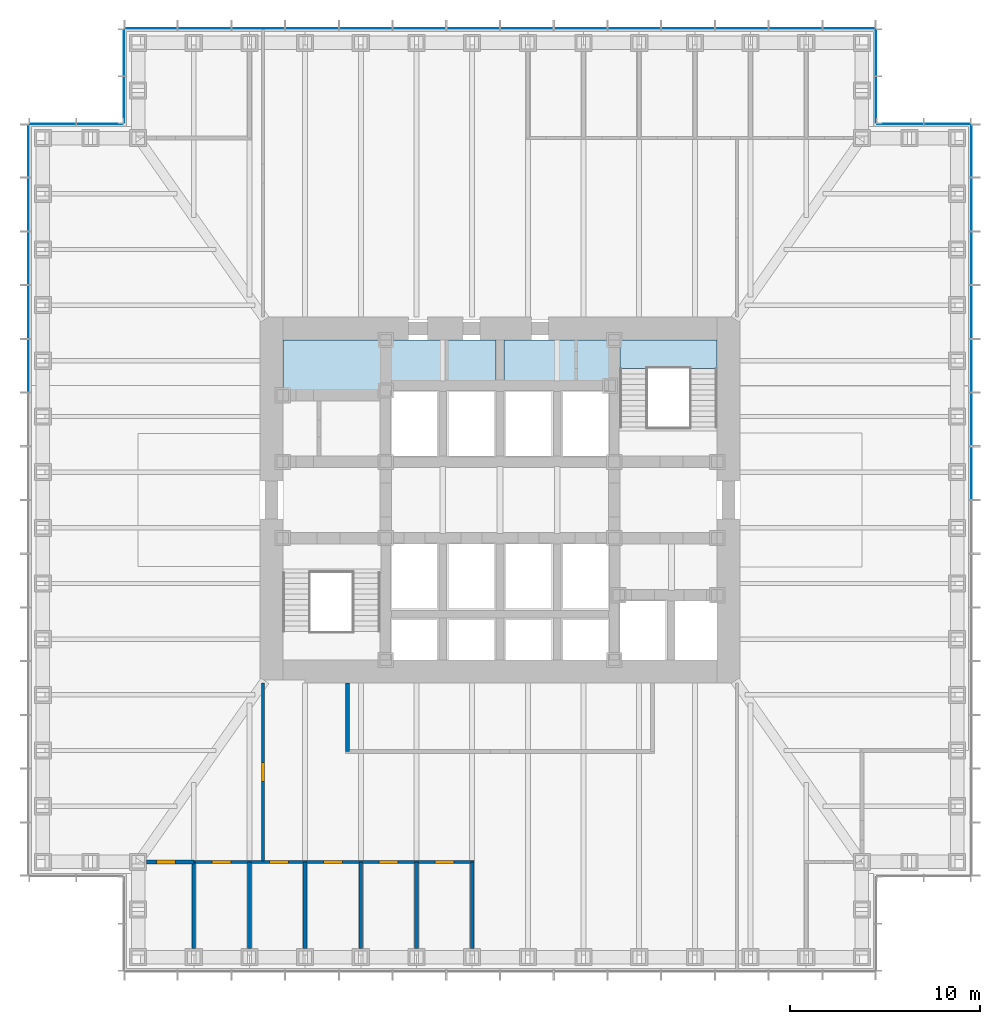
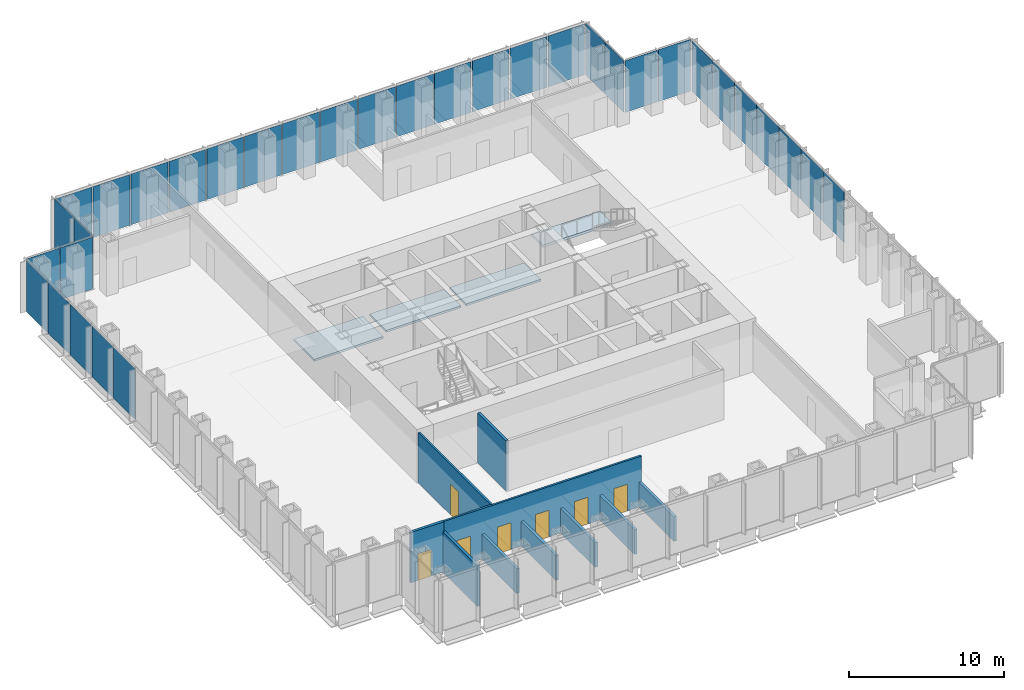
# One storey, part 8 of 17: 34 plates, 10 walls, 7 doors, 4 slabs, 7 openings, 8 elements without a shape of their own.
"""IFC4 building model written with IfcOpenShell, lengths in metres."""

from ifc_helpers import new_model, si_unit, direction, frame, frame_2d, origin, origin_2d, place, context, subcontext, project, spatial, polyline, rectangle, outline, extrude, material, layer, layer_set, type_object, element, fill, aggregate, save


model = new_model("IFC4")

# Units and contexts
model_context = context("Model", 3, precision=1e-05, world=origin(), true_north=direction((0.0, 1.0)))
body_context = subcontext(model_context, "Body", "Model", "MODEL_VIEW")
ifc_project = project(units=[si_unit("LENGTHUNIT", "METRE"), si_unit("AREAUNIT", "SQUARE_METRE"), si_unit("VOLUMEUNIT", "CUBIC_METRE"), si_unit("PLANEANGLEUNIT", "RADIAN"), si_unit("MASSUNIT", "GRAM", prefix="KILO")], contexts=[model_context])

# Site, building, storey
site_placement = place(None, origin())
site = spatial("IfcSite", under=ifc_project, at=site_placement, CompositionType="ELEMENT")
building_placement = place(site_placement, origin())
building = spatial("IfcBuilding", under=site, at=building_placement, Name="Daluyong Arena Tower", CompositionType="ELEMENT")
storey_placement = place(building_placement, frame((0.0, 0.0, 97.89990234375)))
storey = spatial("IfcBuildingStorey", under=building, at=storey_placement, Name="L21", CompositionType="ELEMENT", Elevation=97.89990234375)

# Curtain wall, plates
ifc_material_1 = material(Name="Bronze anodised aluminium and glass", Category="aluminium")
curtain_wall_type_1 = type_object("IfcCurtainWallType", Name="Curtain wall CW1", PredefinedType="USERDEFINED", material=ifc_material_1)
curtain_wall_1_placement = place(storey_placement, origin())
curtain_wall_1 = element("IfcCurtainWall", 1, at=curtain_wall_1_placement, inside=storey, type_object=curtain_wall_type_1, Name="curtain wall L21 E", ObjectType="UNITISED CURTAIN WALL", PredefinedType="USERDEFINED")
ifc_material_2 = material(Name="Tinted double glazed unit", Category="glass")
ifc_layer_1 = layer(ifc_material_2, 0.031982421875)
ifc_layer_set_1 = layer_set([ifc_layer_1], Name="Tinted double glazed unit")
plate_type_1 = type_object("IfcPlateType", Name="CW1 panel 32", PredefinedType="CURTAIN_PANEL", material=ifc_layer_set_1)
plate_1_placement = place(storey_placement, frame((80.75, 81.41064453125, 0.0), z_axis=(0.0, 0.0, 1.0), x_axis=(0.0, 1.0, 0.0)))
plate_1 = element("IfcPlate", 2, at=plate_1_placement, type_object=plate_type_1, Name="curtain wall L21 E panel 8", PredefinedType="CURTAIN_PANEL", context=body_context, shape_type="SweptSolid", body=[
    extrude(rectangle(XDim=2.741455078125, YDim=0.031982421875, at=origin_2d()), origin(), (0.0, 0.0, 1.0), 4.0),
])
plate_2_placement = place(storey_placement, frame((80.75, 84.232177734375, 0.0), z_axis=(0.0, 0.0, 1.0), x_axis=(0.0, 1.0, 0.0)))
plate_2 = element("IfcPlate", 3, at=plate_2_placement, type_object=plate_type_1, Name="curtain wall L21 E panel 9", PredefinedType="CURTAIN_PANEL", context=body_context, shape_type="SweptSolid", body=[
    extrude(rectangle(XDim=2.741455078125, YDim=0.031982421875, at=origin_2d()), origin(), (0.0, 0.0, 1.0), 4.0),
])
plate_3_placement = place(storey_placement, frame((80.75, 87.053466796875, 0.0), z_axis=(0.0, 0.0, 1.0), x_axis=(0.0, 1.0, 0.0)))
plate_3 = element("IfcPlate", 4, at=plate_3_placement, type_object=plate_type_1, Name="curtain wall L21 E panel 10", PredefinedType="CURTAIN_PANEL", context=body_context, shape_type="SweptSolid", body=[
    extrude(rectangle(XDim=2.741455078125, YDim=0.031982421875, at=origin_2d()), origin(), (0.0, 0.0, 1.0), 4.0),
])
plate_4_placement = place(storey_placement, frame((80.75, 89.875, 0.0), z_axis=(0.0, 0.0, 1.0), x_axis=(0.0, 1.0, 0.0)))
plate_4 = element("IfcPlate", 5, at=plate_4_placement, type_object=plate_type_1, Name="curtain wall L21 E panel 11", PredefinedType="CURTAIN_PANEL", context=body_context, shape_type="SweptSolid", body=[
    extrude(rectangle(XDim=2.741455078125, YDim=0.031982421875, at=origin_2d()), origin(), (0.0, 0.0, 1.0), 4.0),
])
plate_5_placement = place(storey_placement, frame((80.75, 92.696533203125, 0.0), z_axis=(0.0, 0.0, 1.0), x_axis=(0.0, 1.0, 0.0)))
plate_5 = element("IfcPlate", 6, at=plate_5_placement, type_object=plate_type_1, Name="curtain wall L21 E panel 12", PredefinedType="CURTAIN_PANEL", context=body_context, shape_type="SweptSolid", body=[
    extrude(rectangle(XDim=2.741455078125, YDim=0.031982421875, at=origin_2d()), origin(), (0.0, 0.0, 1.0), 4.0),
])
plate_6_placement = place(storey_placement, frame((80.75, 95.517822265625, 0.0), z_axis=(0.0, 0.0, 1.0), x_axis=(0.0, 1.0, 0.0)))
plate_6 = element("IfcPlate", 7, at=plate_6_placement, type_object=plate_type_1, Name="curtain wall L21 E panel 13", PredefinedType="CURTAIN_PANEL", context=body_context, shape_type="SweptSolid", body=[
    extrude(rectangle(XDim=2.741455078125, YDim=0.031982421875, at=origin_2d()), origin(), (0.0, 0.0, 1.0), 4.0),
])
plate_7_placement = place(storey_placement, frame((80.75, 98.3193359375, 0.0), z_axis=(0.0, 0.0, 1.0), x_axis=(0.0, 1.0, 0.0)))
plate_7 = element("IfcPlate", 8, at=plate_7_placement, type_object=plate_type_1, Name="curtain wall L21 E panel 14", PredefinedType="CURTAIN_PANEL", context=body_context, shape_type="SweptSolid", body=[
    extrude(rectangle(XDim=2.701416015625, YDim=0.031982421875, at=origin_2d()), origin(), (0.0, 0.0, 1.0), 4.0),
])
aggregate(curtain_wall_1, [plate_1, plate_2, plate_3, plate_4, plate_5, plate_6, plate_7])

curtain_wall_2_placement = place(storey_placement, origin())
curtain_wall_2 = element("IfcCurtainWall", 9, at=curtain_wall_2_placement, inside=storey, type_object=curtain_wall_type_1, Name="curtain wall L21 N", ObjectType="UNITISED CURTAIN WALL", PredefinedType="USERDEFINED")
plate_8_placement = place(storey_placement, frame((74.3193359375, 104.75, 0.0), z_axis=(0.0, 0.0, 1.0), x_axis=(-1.0, 0.0, 0.0)))
plate_8 = element("IfcPlate", 10, at=plate_8_placement, type_object=plate_type_1, Name="curtain wall L21 N panel 1", PredefinedType="CURTAIN_PANEL", context=body_context, shape_type="SweptSolid", body=[
    extrude(rectangle(XDim=2.701416015625, YDim=0.031982421875, at=origin_2d()), origin(), (0.0, 0.0, 1.0), 4.0),
])
plate_9_placement = place(storey_placement, frame((71.517822265625, 104.75, 0.0), z_axis=(0.0, 0.0, 1.0), x_axis=(-1.0, 0.0, 0.0)))
plate_9 = element("IfcPlate", 11, at=plate_9_placement, type_object=plate_type_1, Name="curtain wall L21 N panel 2", PredefinedType="CURTAIN_PANEL", context=body_context, shape_type="SweptSolid", body=[
    extrude(rectangle(XDim=2.741455078125, YDim=0.031982421875, at=origin_2d()), origin(), (0.0, 0.0, 1.0), 4.0),
])
plate_10_placement = place(storey_placement, frame((68.696533203125, 104.75, 0.0), z_axis=(0.0, 0.0, 1.0), x_axis=(-1.0, 0.0, 0.0)))
plate_10 = element("IfcPlate", 12, at=plate_10_placement, type_object=plate_type_1, Name="curtain wall L21 N panel 3", PredefinedType="CURTAIN_PANEL", context=body_context, shape_type="SweptSolid", body=[
    extrude(rectangle(XDim=2.741455078125, YDim=0.031982421875, at=origin_2d()), origin(), (0.0, 0.0, 1.0), 4.0),
])
plate_11_placement = place(storey_placement, frame((65.875, 104.75, 0.0), z_axis=(0.0, 0.0, 1.0), x_axis=(-1.0, 0.0, 0.0)))
plate_11 = element("IfcPlate", 13, at=plate_11_placement, type_object=plate_type_1, Name="curtain wall L21 N panel 4", PredefinedType="CURTAIN_PANEL", context=body_context, shape_type="SweptSolid", body=[
    extrude(rectangle(XDim=2.741455078125, YDim=0.031982421875, at=origin_2d()), origin(), (0.0, 0.0, 1.0), 4.0),
])
plate_12_placement = place(storey_placement, frame((63.053466796875, 104.75, 0.0), z_axis=(0.0, 0.0, 1.0), x_axis=(-1.0, 0.0, 0.0)))
plate_12 = element("IfcPlate", 14, at=plate_12_placement, type_object=plate_type_1, Name="curtain wall L21 N panel 5", PredefinedType="CURTAIN_PANEL", context=body_context, shape_type="SweptSolid", body=[
    extrude(rectangle(XDim=2.741455078125, YDim=0.031982421875, at=origin_2d()), origin(), (0.0, 0.0, 1.0), 4.0),
])
plate_13_placement = place(storey_placement, frame((60.232177734375, 104.75, 0.0), z_axis=(0.0, 0.0, 1.0), x_axis=(-1.0, 0.0, 0.0)))
plate_13 = element("IfcPlate", 15, at=plate_13_placement, type_object=plate_type_1, Name="curtain wall L21 N panel 6", PredefinedType="CURTAIN_PANEL", context=body_context, shape_type="SweptSolid", body=[
    extrude(rectangle(XDim=2.741455078125, YDim=0.031982421875, at=origin_2d()), origin(), (0.0, 0.0, 1.0), 4.0),
])
plate_14_placement = place(storey_placement, frame((57.41064453125, 104.75, 0.0), z_axis=(0.0, 0.0, 1.0), x_axis=(-1.0, 0.0, 0.0)))
plate_14 = element("IfcPlate", 16, at=plate_14_placement, type_object=plate_type_1, Name="curtain wall L21 N panel 7", PredefinedType="CURTAIN_PANEL", context=body_context, shape_type="SweptSolid", body=[
    extrude(rectangle(XDim=2.741455078125, YDim=0.031982421875, at=origin_2d()), origin(), (0.0, 0.0, 1.0), 4.0),
])
plate_15_placement = place(storey_placement, frame((54.58935546875, 104.75, 0.0), z_axis=(0.0, 0.0, 1.0), x_axis=(-1.0, 0.0, 0.0)))
plate_15 = element("IfcPlate", 17, at=plate_15_placement, type_object=plate_type_1, Name="curtain wall L21 N panel 8", PredefinedType="CURTAIN_PANEL", context=body_context, shape_type="SweptSolid", body=[
    extrude(rectangle(XDim=2.741455078125, YDim=0.031982421875, at=origin_2d()), origin(), (0.0, 0.0, 1.0), 4.0),
])
plate_16_placement = place(storey_placement, frame((51.767822265625, 104.75, 0.0), z_axis=(0.0, 0.0, 1.0), x_axis=(-1.0, 0.0, 0.0)))
plate_16 = element("IfcPlate", 18, at=plate_16_placement, type_object=plate_type_1, Name="curtain wall L21 N panel 9", PredefinedType="CURTAIN_PANEL", context=body_context, shape_type="SweptSolid", body=[
    extrude(rectangle(XDim=2.741455078125, YDim=0.031982421875, at=origin_2d()), origin(), (0.0, 0.0, 1.0), 4.0),
])
plate_17_placement = place(storey_placement, frame((48.946533203125, 104.75, 0.0), z_axis=(0.0, 0.0, 1.0), x_axis=(-1.0, 0.0, 0.0)))
plate_17 = element("IfcPlate", 19, at=plate_17_placement, type_object=plate_type_1, Name="curtain wall L21 N panel 10", PredefinedType="CURTAIN_PANEL", context=body_context, shape_type="SweptSolid", body=[
    extrude(rectangle(XDim=2.741455078125, YDim=0.031982421875, at=origin_2d()), origin(), (0.0, 0.0, 1.0), 4.0),
])
plate_18_placement = place(storey_placement, frame((46.125, 104.75, 0.0), z_axis=(0.0, 0.0, 1.0), x_axis=(-1.0, 0.0, 0.0)))
plate_18 = element("IfcPlate", 20, at=plate_18_placement, type_object=plate_type_1, Name="curtain wall L21 N panel 11", PredefinedType="CURTAIN_PANEL", context=body_context, shape_type="SweptSolid", body=[
    extrude(rectangle(XDim=2.741455078125, YDim=0.031982421875, at=origin_2d()), origin(), (0.0, 0.0, 1.0), 4.0),
])
plate_19_placement = place(storey_placement, frame((43.303466796875, 104.75, 0.0), z_axis=(0.0, 0.0, 1.0), x_axis=(-1.0, 0.0, 0.0)))
plate_19 = element("IfcPlate", 21, at=plate_19_placement, type_object=plate_type_1, Name="curtain wall L21 N panel 12", PredefinedType="CURTAIN_PANEL", context=body_context, shape_type="SweptSolid", body=[
    extrude(rectangle(XDim=2.741455078125, YDim=0.031982421875, at=origin_2d()), origin(), (0.0, 0.0, 1.0), 4.0),
])
plate_20_placement = place(storey_placement, frame((40.482177734375, 104.75, 0.0), z_axis=(0.0, 0.0, 1.0), x_axis=(-1.0, 0.0, 0.0)))
plate_20 = element("IfcPlate", 22, at=plate_20_placement, type_object=plate_type_1, Name="curtain wall L21 N panel 13", PredefinedType="CURTAIN_PANEL", context=body_context, shape_type="SweptSolid", body=[
    extrude(rectangle(XDim=2.741455078125, YDim=0.031982421875, at=origin_2d()), origin(), (0.0, 0.0, 1.0), 4.0),
])
plate_21_placement = place(storey_placement, frame((37.6806640625, 104.75, 0.0), z_axis=(0.0, 0.0, 1.0), x_axis=(-1.0, 0.0, 0.0)))
plate_21 = element("IfcPlate", 23, at=plate_21_placement, type_object=plate_type_1, Name="curtain wall L21 N panel 14", PredefinedType="CURTAIN_PANEL", context=body_context, shape_type="SweptSolid", body=[
    extrude(rectangle(XDim=2.701416015625, YDim=0.031982421875, at=origin_2d()), origin(), (0.0, 0.0, 1.0), 4.0),
])
aggregate(curtain_wall_2, [plate_8, plate_9, plate_10, plate_11, plate_12, plate_13, plate_14, plate_15, plate_16, plate_17, plate_18, plate_19, plate_20, plate_21])

curtain_wall_3_placement = place(storey_placement, origin())
curtain_wall_3 = element("IfcCurtainWall", 24, at=curtain_wall_3_placement, inside=storey, type_object=curtain_wall_type_1, Name="curtain wall L21 W", ObjectType="UNITISED CURTAIN WALL", PredefinedType="USERDEFINED")
plate_22_placement = place(storey_placement, frame((31.25, 98.3193359375, 0.0), z_axis=(0.0, 0.0, 1.0), x_axis=(0.0, -1.0, 0.0)))
plate_22 = element("IfcPlate", 25, at=plate_22_placement, type_object=plate_type_1, Name="curtain wall L21 W panel 1", PredefinedType="CURTAIN_PANEL", context=body_context, shape_type="SweptSolid", body=[
    extrude(rectangle(XDim=2.701416015625, YDim=0.031982421875, at=origin_2d()), origin(), (0.0, 0.0, 1.0), 4.0),
])
plate_23_placement = place(storey_placement, frame((31.25, 95.517822265625, 0.0), z_axis=(0.0, 0.0, 1.0), x_axis=(0.0, -1.0, 0.0)))
plate_23 = element("IfcPlate", 26, at=plate_23_placement, type_object=plate_type_1, Name="curtain wall L21 W panel 2", PredefinedType="CURTAIN_PANEL", context=body_context, shape_type="SweptSolid", body=[
    extrude(rectangle(XDim=2.741455078125, YDim=0.031982421875, at=origin_2d()), origin(), (0.0, 0.0, 1.0), 4.0),
])
plate_24_placement = place(storey_placement, frame((31.25, 92.696533203125, 0.0), z_axis=(0.0, 0.0, 1.0), x_axis=(0.0, -1.0, 0.0)))
plate_24 = element("IfcPlate", 27, at=plate_24_placement, type_object=plate_type_1, Name="curtain wall L21 W panel 3", PredefinedType="CURTAIN_PANEL", context=body_context, shape_type="SweptSolid", body=[
    extrude(rectangle(XDim=2.741455078125, YDim=0.031982421875, at=origin_2d()), origin(), (0.0, 0.0, 1.0), 4.0),
])
plate_25_placement = place(storey_placement, frame((31.25, 89.875, 0.0), z_axis=(0.0, 0.0, 1.0), x_axis=(0.0, -1.0, 0.0)))
plate_25 = element("IfcPlate", 28, at=plate_25_placement, type_object=plate_type_1, Name="curtain wall L21 W panel 4", PredefinedType="CURTAIN_PANEL", context=body_context, shape_type="SweptSolid", body=[
    extrude(rectangle(XDim=2.741455078125, YDim=0.031982421875, at=origin_2d()), origin(), (0.0, 0.0, 1.0), 4.0),
])
plate_26_placement = place(storey_placement, frame((31.25, 87.053466796875, 0.0), z_axis=(0.0, 0.0, 1.0), x_axis=(0.0, -1.0, 0.0)))
plate_26 = element("IfcPlate", 29, at=plate_26_placement, type_object=plate_type_1, Name="curtain wall L21 W panel 5", PredefinedType="CURTAIN_PANEL", context=body_context, shape_type="SweptSolid", body=[
    extrude(rectangle(XDim=2.741455078125, YDim=0.031982421875, at=origin_2d()), origin(), (0.0, 0.0, 1.0), 4.0),
])
aggregate(curtain_wall_3, [plate_22, plate_23, plate_24, plate_25, plate_26])

ifc_material_3 = material(Name="Bronze anodised aluminium and glass", Category="aluminium")
curtain_wall_type_2 = type_object("IfcCurtainWallType", Name="Curtain wall CW7", PredefinedType="USERDEFINED", material=ifc_material_3)
curtain_wall_4_placement = place(storey_placement, origin())
curtain_wall_4 = element("IfcCurtainWall", 30, at=curtain_wall_4_placement, inside=storey, type_object=curtain_wall_type_2, Name="curtain wall L21 NE-N", ObjectType="UNITISED CURTAIN WALL", PredefinedType="USERDEFINED")
ifc_material_4 = material(Name="Tinted double glazed unit", Category="glass")
ifc_layer_2 = layer(ifc_material_4, 0.028076171875)
ifc_layer_set_2 = layer_set([ifc_layer_2], Name="Tinted double glazed unit")
plate_type_2 = type_object("IfcPlateType", Name="CW7 panel 28", PredefinedType="CURTAIN_PANEL", material=ifc_layer_set_2)
plate_27_placement = place(storey_placement, frame((79.485107421875, 99.75, 0.0), z_axis=(0.0, 0.0, 1.0), x_axis=(-1.0, 0.0, 0.0)))
plate_27 = element("IfcPlate", 31, at=plate_27_placement, type_object=plate_type_2, Name="curtain wall L21 NE-N panel 1", PredefinedType="CURTAIN_PANEL", context=body_context, shape_type="SweptSolid", body=[
    extrude(rectangle(XDim=2.409912109375, YDim=0.028076171875, at=origin_2d()), origin(), (0.0, 0.0, 1.0), 4.080078125),
])
plate_28_placement = place(storey_placement, frame((77.014892578125, 99.75, 0.0), z_axis=(0.0, 0.0, 1.0), x_axis=(-1.0, 0.0, 0.0)))
plate_28 = element("IfcPlate", 32, at=plate_28_placement, type_object=plate_type_2, Name="curtain wall L21 NE-N panel 2", PredefinedType="CURTAIN_PANEL", context=body_context, shape_type="SweptSolid", body=[
    extrude(rectangle(XDim=2.409912109375, YDim=0.028076171875, at=origin_2d()), origin(), (0.0, 0.0, 1.0), 4.080078125),
])
aggregate(curtain_wall_4, [plate_27, plate_28])

curtain_wall_5_placement = place(storey_placement, origin())
curtain_wall_5 = element("IfcCurtainWall", 33, at=curtain_wall_5_placement, inside=storey, type_object=curtain_wall_type_2, Name="curtain wall L21 NE-E", ObjectType="UNITISED CURTAIN WALL", PredefinedType="USERDEFINED")
plate_29_placement = place(storey_placement, frame((75.75, 101.014892578125, 0.0), z_axis=(0.0, 0.0, 1.0), x_axis=(0.0, 1.0, 0.0)))
plate_29 = element("IfcPlate", 34, at=plate_29_placement, type_object=plate_type_2, Name="curtain wall L21 NE-E panel 1", PredefinedType="CURTAIN_PANEL", context=body_context, shape_type="SweptSolid", body=[
    extrude(rectangle(XDim=2.409912109375, YDim=0.028076171875, at=origin_2d()), origin(), (0.0, 0.0, 1.0), 4.080078125),
])
plate_30_placement = place(storey_placement, frame((75.75, 103.485107421875, 0.0), z_axis=(0.0, 0.0, 1.0), x_axis=(0.0, 1.0, 0.0)))
plate_30 = element("IfcPlate", 35, at=plate_30_placement, type_object=plate_type_2, Name="curtain wall L21 NE-E panel 2", PredefinedType="CURTAIN_PANEL", context=body_context, shape_type="SweptSolid", body=[
    extrude(rectangle(XDim=2.409912109375, YDim=0.028076171875, at=origin_2d()), origin(), (0.0, 0.0, 1.0), 4.080078125),
])
aggregate(curtain_wall_5, [plate_29, plate_30])

curtain_wall_6_placement = place(storey_placement, origin())
curtain_wall_6 = element("IfcCurtainWall", 36, at=curtain_wall_6_placement, inside=storey, type_object=curtain_wall_type_2, Name="curtain wall L21 NW-W", ObjectType="UNITISED CURTAIN WALL", PredefinedType="USERDEFINED")
plate_31_placement = place(storey_placement, frame((36.25, 103.485107421875, 0.0), z_axis=(0.0, 0.0, 1.0), x_axis=(0.0, -1.0, 0.0)))
plate_31 = element("IfcPlate", 37, at=plate_31_placement, type_object=plate_type_2, Name="curtain wall L21 NW-W panel 1", PredefinedType="CURTAIN_PANEL", context=body_context, shape_type="SweptSolid", body=[
    extrude(rectangle(XDim=2.409912109375, YDim=0.028076171875, at=origin_2d()), origin(), (0.0, 0.0, 1.0), 4.080078125),
])
plate_32_placement = place(storey_placement, frame((36.25, 101.014892578125, 0.0), z_axis=(0.0, 0.0, 1.0), x_axis=(0.0, -1.0, 0.0)))
plate_32 = element("IfcPlate", 38, at=plate_32_placement, type_object=plate_type_2, Name="curtain wall L21 NW-W panel 2", PredefinedType="CURTAIN_PANEL", context=body_context, shape_type="SweptSolid", body=[
    extrude(rectangle(XDim=2.409912109375, YDim=0.028076171875, at=origin_2d()), origin(), (0.0, 0.0, 1.0), 4.080078125),
])
aggregate(curtain_wall_6, [plate_31, plate_32])

curtain_wall_7_placement = place(storey_placement, origin())
curtain_wall_7 = element("IfcCurtainWall", 39, at=curtain_wall_7_placement, inside=storey, type_object=curtain_wall_type_2, Name="curtain wall L21 NW-N", ObjectType="UNITISED CURTAIN WALL", PredefinedType="USERDEFINED")
plate_33_placement = place(storey_placement, frame((34.985107421875, 99.75, 0.0), z_axis=(0.0, 0.0, 1.0), x_axis=(-1.0, 0.0, 0.0)))
plate_33 = element("IfcPlate", 40, at=plate_33_placement, type_object=plate_type_2, Name="curtain wall L21 NW-N panel 1", PredefinedType="CURTAIN_PANEL", context=body_context, shape_type="SweptSolid", body=[
    extrude(rectangle(XDim=2.409912109375, YDim=0.028076171875, at=origin_2d()), origin(), (0.0, 0.0, 1.0), 4.080078125),
])
plate_34_placement = place(storey_placement, frame((32.514892578125, 99.75, 0.0), z_axis=(0.0, 0.0, 1.0), x_axis=(-1.0, 0.0, 0.0)))
plate_34 = element("IfcPlate", 41, at=plate_34_placement, type_object=plate_type_2, Name="curtain wall L21 NW-N panel 2", PredefinedType="CURTAIN_PANEL", context=body_context, shape_type="SweptSolid", body=[
    extrude(rectangle(XDim=2.409912109375, YDim=0.028076171875, at=origin_2d()), origin(), (0.0, 0.0, 1.0), 4.080078125),
])
aggregate(curtain_wall_7, [plate_33, plate_34])

# Stair, slab
ifc_material_5 = material(Name="Concrete fc' 35 MPa", Category="concrete")
stair_type = type_object("IfcStairType", Name="Core exit stair", PredefinedType="HALF_TURN_STAIR", material=ifc_material_5)
stair_placement = place(storey_placement, origin())
stair = element("IfcStair", 42, at=stair_placement, inside=storey, type_object=stair_type, Name="exit stair B L21", PredefinedType="HALF_TURN_STAIR")
ifc_material_6 = material(Name="Concrete fc' 35 MPa", Category="concrete")
ifc_layer_3 = layer(ifc_material_6, 0.199951171875)
ifc_layer_set_3 = layer_set([ifc_layer_3], Name="Concrete fc' 35 MPa")
slab_type_1 = type_object("IfcSlabType", Name="Stair landing 200", PredefinedType="LANDING", material=ifc_layer_set_3)
slab_1_placement = place(storey_placement, frame((0.0, 0.0, 1.900146484375)))
slab_1 = element("IfcSlab", 43, at=slab_1_placement, type_object=slab_type_1, Name="STB landing 1", PredefinedType="LANDING", context=body_context, shape_type="SweptSolid", body=[
    extrude(outline(polyline([(62.300048828125, 86.905029296875), (67.39990234375, 86.905029296875), (67.39990234375, 88.39990234375), (62.300048828125, 88.39990234375), (62.300048828125, 86.905029296875)])), origin(), (0.0, 0.0, 1.0), 0.199951171875),
])
aggregate(stair, [slab_1])

# Slabs
ifc_material_7 = material(Name="Concrete fc' 35 MPa", Category="concrete")
ifc_layer_4 = layer(ifc_material_7, 0.159912109375)
ifc_layer_set_4 = layer_set([ifc_layer_4], Name="Concrete fc' 35 MPa")
slab_type_2 = type_object("IfcSlabType", Name="Tower floor slab 160", PredefinedType="FLOOR", material=ifc_layer_set_4)
slab_2_placement = place(storey_placement, frame((0.0, 0.0, -0.159912109375)))
element("IfcSlab", 44, at=slab_2_placement, inside=storey, type_object=slab_type_2, Name="floor L21 part 4", PredefinedType="FLOOR", context=body_context, shape_type="SweptSolid", body=[
    extrude(outline(polyline([(44.60009765625, 88.39990234375), (44.60009765625, 85.75), (49.75, 85.75), (49.75, 88.39990234375), (44.60009765625, 88.39990234375)])), origin(), (0.0, 0.0, 1.0), 0.159912109375),
])
slab_3_placement = place(storey_placement, frame((0.0, 0.0, -0.159912109375)))
element("IfcSlab", 45, at=slab_3_placement, inside=storey, type_object=slab_type_2, Name="floor L21 part 8", PredefinedType="FLOOR", context=body_context, shape_type="SweptSolid", body=[
    extrude(outline(polyline([(50.25, 88.39990234375), (50.25, 86.25), (55.800048828125, 86.25), (55.800048828125, 88.39990234375), (50.25, 88.39990234375)])), origin(), (0.0, 0.0, 1.0), 0.159912109375),
])
slab_4_placement = place(storey_placement, frame((0.0, 0.0, -0.159912109375)))
element("IfcSlab", 46, at=slab_4_placement, inside=storey, type_object=slab_type_2, Name="floor L21 part 17", PredefinedType="FLOOR", context=body_context, shape_type="SweptSolid", body=[
    extrude(outline(polyline([(56.199951171875, 86.25), (61.75, 86.25), (61.75, 88.39990234375), (56.199951171875, 88.39990234375), (56.199951171875, 86.25)])), origin(), (0.0, 0.0, 1.0), 0.159912109375),
])

# Wall, openings, doors
ifc_material_8 = material(Name="Glazed aluminium partition", Category="aluminium")
ifc_layer_5 = layer(ifc_material_8, 0.14990234375)
ifc_layer_set_5 = layer_set([ifc_layer_5], Name="Glazed aluminium partition")
wall_type_1 = type_object("IfcWallType", Name="Glazed partition 150", PredefinedType="PARTITIONING", material=ifc_layer_set_5)
wall_1_placement = place(storey_placement, frame((39.923095703125, 61.0, 0.0), z_axis=(0.0, 0.0, 1.0), x_axis=(1.0, 0.0, 0.0)))
wall_1 = element("IfcWall", 47, at=wall_1_placement, inside=storey, type_object=wall_type_1, Name="glazed partition at L21", PredefinedType="PARTITIONING", context=body_context, shape_type="SweptSolid", body=[
    extrude(rectangle(XDim=14.71533203125, YDim=0.14990234375, at=frame_2d((7.357666015625, 0.0))), origin(), (0.0, 0.0, 1.0), 3.9501953125),
])
opening_1_placement = place(wall_1_placement, frame((0.96142578125, 0.0, 0.0)))
opening_1 = element("IfcOpeningElement", 48, at=opening_1_placement, cuts=wall_1, Name="Opening 21022", PredefinedType="OPENING", context=body_context, shape_type="SweptSolid", body=[
    extrude(rectangle(XDim=1.0, YDim=2.10009765625, at=frame_2d((0.5, 1.050048828125))), frame((0.0, 0.0849609375, 0.0), z_axis=(0.0, -1.0, 0.0), x_axis=(1.0, 0.0, 0.0)), (0.0, 0.0, 1.0), 0.169921875),
])
opening_2_placement = place(wall_1_placement, frame((3.976806640625, 0.0, 0.0)))
opening_2 = element("IfcOpeningElement", 49, at=opening_2_placement, cuts=wall_1, Name="Opening 21023", PredefinedType="OPENING", context=body_context, shape_type="SweptSolid", body=[
    extrude(rectangle(XDim=1.0, YDim=2.10009765625, at=frame_2d((0.5, 1.050048828125))), frame((0.0, 0.0849609375, 0.0), z_axis=(0.0, -1.0, 0.0), x_axis=(1.0, 0.0, 0.0)), (0.0, 0.0, 1.0), 0.169921875),
])
opening_3_placement = place(wall_1_placement, frame((6.8076171875, 0.0, 0.0)))
opening_3 = element("IfcOpeningElement", 50, at=opening_3_placement, cuts=wall_1, Name="Opening 21024", PredefinedType="OPENING", context=body_context, shape_type="SweptSolid", body=[
    extrude(rectangle(XDim=1.0, YDim=2.10009765625, at=frame_2d((0.5, 1.050048828125))), frame((0.0, 0.0849609375, 0.0), z_axis=(0.0, -1.0, 0.0), x_axis=(1.0, 0.0, 0.0)), (0.0, 0.0, 1.0), 0.169921875),
])
opening_4_placement = place(wall_1_placement, frame((9.730712890625, 0.0, 0.0)))
opening_4 = element("IfcOpeningElement", 51, at=opening_4_placement, cuts=wall_1, Name="Opening 21025", PredefinedType="OPENING", context=body_context, shape_type="SweptSolid", body=[
    extrude(rectangle(XDim=1.0, YDim=2.10009765625, at=frame_2d((0.5, 1.050048828125))), frame((0.0, 0.0849609375, 0.0), z_axis=(0.0, -1.0, 0.0), x_axis=(1.0, 0.0, 0.0)), (0.0, 0.0, 1.0), 0.169921875),
])
opening_5_placement = place(wall_1_placement, frame((12.65380859375, 0.0, 0.0)))
opening_5 = element("IfcOpeningElement", 52, at=opening_5_placement, cuts=wall_1, Name="Opening 21026", PredefinedType="OPENING", context=body_context, shape_type="SweptSolid", body=[
    extrude(rectangle(XDim=1.0, YDim=2.10009765625, at=frame_2d((0.5, 1.050048828125))), frame((0.0, 0.0849609375, 0.0), z_axis=(0.0, -1.0, 0.0), x_axis=(1.0, 0.0, 0.0)), (0.0, 0.0, 1.0), 0.169921875),
])
ifc_material_9 = material(Name="Timber door", Category="wood")
door_type_1 = type_object("IfcDoorType", Name="Room door 1000", OperationType="SINGLE_SWING_LEFT", PredefinedType="DOOR", material=ifc_material_9)
door_1_placement = place(opening_1_placement, origin())
door_1 = element("IfcDoor", 53, at=door_1_placement, inside=storey, type_object=door_type_1, Name="office door 21022", OperationType="SINGLE_SWING_LEFT", OverallHeight=2.10009765625, OverallWidth=1.0, PredefinedType="DOOR", context=body_context, shape_type="SweptSolid", body=[
    extrude(rectangle(XDim=1.0, YDim=2.10009765625, at=frame_2d((0.5, 1.050048828125))), frame((0.0, 0.07470703125, 0.0), z_axis=(0.0, -1.0, 0.0), x_axis=(1.0, 0.0, 0.0)), (0.0, 0.0, 1.0), 0.1494140625),
])
fill(opening_1, door_1)
door_2_placement = place(opening_2_placement, origin())
door_2 = element("IfcDoor", 54, at=door_2_placement, inside=storey, type_object=door_type_1, Name="office door 21023", OperationType="SINGLE_SWING_LEFT", OverallHeight=2.10009765625, OverallWidth=1.0, PredefinedType="DOOR", context=body_context, shape_type="SweptSolid", body=[
    extrude(rectangle(XDim=1.0, YDim=2.10009765625, at=frame_2d((0.5, 1.050048828125))), frame((0.0, 0.07470703125, 0.0), z_axis=(0.0, -1.0, 0.0), x_axis=(1.0, 0.0, 0.0)), (0.0, 0.0, 1.0), 0.1494140625),
])
fill(opening_2, door_2)
door_3_placement = place(opening_3_placement, origin())
door_3 = element("IfcDoor", 55, at=door_3_placement, inside=storey, type_object=door_type_1, Name="office door 21024", OperationType="SINGLE_SWING_LEFT", OverallHeight=2.10009765625, OverallWidth=1.0, PredefinedType="DOOR", context=body_context, shape_type="SweptSolid", body=[
    extrude(rectangle(XDim=1.0, YDim=2.10009765625, at=frame_2d((0.5, 1.050048828125))), frame((0.0, 0.07470703125, 0.0), z_axis=(0.0, -1.0, 0.0), x_axis=(1.0, 0.0, 0.0)), (0.0, 0.0, 1.0), 0.1494140625),
])
fill(opening_3, door_3)
door_4_placement = place(opening_4_placement, origin())
door_4 = element("IfcDoor", 56, at=door_4_placement, inside=storey, type_object=door_type_1, Name="office door 21025", OperationType="SINGLE_SWING_LEFT", OverallHeight=2.10009765625, OverallWidth=1.0, PredefinedType="DOOR", context=body_context, shape_type="SweptSolid", body=[
    extrude(rectangle(XDim=1.0, YDim=2.10009765625, at=frame_2d((0.5, 1.050048828125))), frame((0.0, 0.07470703125, 0.0), z_axis=(0.0, -1.0, 0.0), x_axis=(1.0, 0.0, 0.0)), (0.0, 0.0, 1.0), 0.1494140625),
])
fill(opening_4, door_4)
door_5_placement = place(opening_5_placement, origin())
door_5 = element("IfcDoor", 57, at=door_5_placement, inside=storey, type_object=door_type_1, Name="office door 21026", OperationType="SINGLE_SWING_LEFT", OverallHeight=2.10009765625, OverallWidth=1.0, PredefinedType="DOOR", context=body_context, shape_type="SweptSolid", body=[
    extrude(rectangle(XDim=1.0, YDim=2.10009765625, at=frame_2d((0.5, 1.050048828125))), frame((0.0, 0.07470703125, 0.0), z_axis=(0.0, -1.0, 0.0), x_axis=(1.0, 0.0, 0.0)), (0.0, 0.0, 1.0), 0.1494140625),
])
fill(opening_5, door_5)

# Wall, opening, door
wall_2_placement = place(storey_placement, frame((43.550048828125, 61.050048828125, 0.0), z_axis=(0.0, 0.0, 1.0), x_axis=(0.0, 1.0, 0.0)))
wall_2 = element("IfcWall", 58, at=wall_2_placement, inside=storey, type_object=wall_type_1, Name="glazed partition at L21", PredefinedType="PARTITIONING", context=body_context, shape_type="SweptSolid", body=[
    extrude(rectangle(XDim=9.349853515625, YDim=0.14990234375, at=frame_2d((4.6748046875, 0.0))), origin(), (0.0, 0.0, 1.0), 3.9501953125),
])
opening_6_placement = place(wall_2_placement, frame((4.175048828125, 0.0, 0.0)))
opening_6 = element("IfcOpeningElement", 59, at=opening_6_placement, cuts=wall_2, Name="Opening 21037", PredefinedType="OPENING", context=body_context, shape_type="SweptSolid", body=[
    extrude(rectangle(XDim=1.0, YDim=2.39990234375, at=frame_2d((0.5, 1.199951171875))), frame((0.0, 0.0849609375, 0.0), z_axis=(0.0, -1.0, 0.0), x_axis=(1.0, 0.0, 0.0)), (0.0, 0.0, 1.0), 0.169921875),
])
ifc_material_10 = material(Name="Glazed aluminium door", Category="aluminium")
door_type_2 = type_object("IfcDoorType", Name="Meeting room glazed door 1000", OperationType="SINGLE_SWING_RIGHT", PredefinedType="DOOR", material=ifc_material_10)
door_6_placement = place(opening_6_placement, origin())
door_6 = element("IfcDoor", 60, at=door_6_placement, inside=storey, type_object=door_type_2, Name="team area screen door 21037", OperationType="SINGLE_SWING_RIGHT", OverallHeight=2.39990234375, OverallWidth=1.0, PredefinedType="DOOR", context=body_context, shape_type="SweptSolid", body=[
    extrude(rectangle(XDim=1.0, YDim=2.39990234375, at=frame_2d((0.5, 1.199951171875))), frame((0.0, 0.07470703125, 0.0), z_axis=(0.0, -1.0, 0.0), x_axis=(1.0, 0.0, 0.0)), (0.0, 0.0, 1.0), 0.1494140625),
])
fill(opening_6, door_6)

# Walls
ifc_material_11 = material(Name="Concrete block partition", Category="concrete")
ifc_layer_6 = layer(ifc_material_11, 0.199951171875)
ifc_layer_set_6 = layer_set([ifc_layer_6], Name="Concrete block partition")
wall_type_2 = type_object("IfcWallType", Name="Partition 200", PredefinedType="PARTITIONING", material=ifc_layer_set_6)
wall_3_placement = place(storey_placement, frame((39.923095703125, 56.449951171875, 0.0), z_axis=(0.0, 0.0, 1.0), x_axis=(0.0, 1.0, 0.0)))
element("IfcWall", 61, at=wall_3_placement, inside=storey, type_object=wall_type_2, Name="partition at L21", PredefinedType="PARTITIONING", context=body_context, shape_type="SweptSolid", body=[
    extrude(rectangle(XDim=4.550048828125, YDim=0.199951171875, at=frame_2d((2.27490234375, 0.0))), origin(), (0.0, 0.0, 1.0), 3.18798828125),
])
for number, where, z_axis, x_axis, name in (
    (62, (42.84619140625, 56.449951171875, 0.0), (0.0, 0.0, 1.0), (0.0, 1.0, 0.0), "partition at L21"),
    (63, (45.769287109375, 56.449951171875, 0.0), (0.0, 0.0, 1.0), (0.0, 1.0, 0.0), "partition at L21"),
    (64, (48.6923828125, 56.449951171875, 0.0), (0.0, 0.0, 1.0), (0.0, 1.0, 0.0), "partition at L21"),
    (65, (51.615478515625, 56.449951171875, 0.0), (0.0, 0.0, 1.0), (0.0, 1.0, 0.0), "partition at L21"),
    (66, (54.53857421875, 56.449951171875, 0.0), (0.0, 0.0, 1.0), (0.0, 1.0, 0.0), "partition at L21"),
):
    element("IfcWall", number, at=place(storey_placement, frame(where, z_axis=z_axis, x_axis=x_axis)), inside=storey, type_object=wall_type_2, Name=name, PredefinedType="PARTITIONING", context=body_context, shape_type="SweptSolid", body=[
        extrude(rectangle(XDim=4.550048828125, YDim=0.199951171875, at=frame_2d((2.27490234375, 0.0))), origin(), (0.0, 0.0, 1.0), 1.9501953125),
    ])
wall_4_placement = place(storey_placement, frame((48.0, 66.800048828125, 0.0), z_axis=(0.0, 0.0, 1.0), x_axis=(0.0, 1.0, 0.0)))
element("IfcWall", 67, at=wall_4_placement, inside=storey, type_object=wall_type_2, Name="partition at L21", PredefinedType="PARTITIONING", context=body_context, shape_type="SweptSolid", body=[
    extrude(rectangle(XDim=3.599853515625, YDim=0.199951171875, at=frame_2d((1.7998046875, 0.0))), origin(), (0.0, 0.0, 1.0), 3.9501953125),
])

# Wall, opening, door
wall_5_placement = place(storey_placement, frame((37.449951171875, 61.0, 0.0), z_axis=(0.0, 0.0, 1.0), x_axis=(1.0, 0.0, 0.0)))
wall_5 = element("IfcWall", 68, at=wall_5_placement, inside=storey, type_object=wall_type_2, Name="partition at L21", PredefinedType="PARTITIONING", context=body_context, shape_type="SweptSolid", body=[
    extrude(rectangle(XDim=2.47314453125, YDim=0.199951171875, at=frame_2d((1.236572265625, 0.0))), origin(), (0.0, 0.0, 1.0), 3.9501953125),
])
opening_7_placement = place(wall_5_placement, frame((0.511474609375, 0.0, 0.0)))
opening_7 = element("IfcOpeningElement", 69, at=opening_7_placement, cuts=wall_5, Name="Opening 21021", PredefinedType="OPENING", context=body_context, shape_type="SweptSolid", body=[
    extrude(rectangle(XDim=1.0, YDim=2.10009765625, at=frame_2d((0.5, 1.050048828125))), frame((0.0, 0.10986328125, 0.0), z_axis=(0.0, -1.0, 0.0), x_axis=(1.0, 0.0, 0.0)), (0.0, 0.0, 1.0), 0.219970703125),
])
door_7_placement = place(opening_7_placement, origin())
door_7 = element("IfcDoor", 70, at=door_7_placement, inside=storey, type_object=door_type_1, Name="wellness room door 21021", OperationType="SINGLE_SWING_LEFT", OverallHeight=2.10009765625, OverallWidth=1.0, PredefinedType="DOOR", context=body_context, shape_type="SweptSolid", body=[
    extrude(rectangle(XDim=1.0, YDim=2.10009765625, at=frame_2d((0.5, 1.050048828125))), frame((0.0, 0.099609375, 0.0), z_axis=(0.0, -1.0, 0.0), x_axis=(1.0, 0.0, 0.0)), (0.0, 0.0, 1.0), 0.199462890625),
])
fill(opening_7, door_7)

save(model, "model.ifc")
